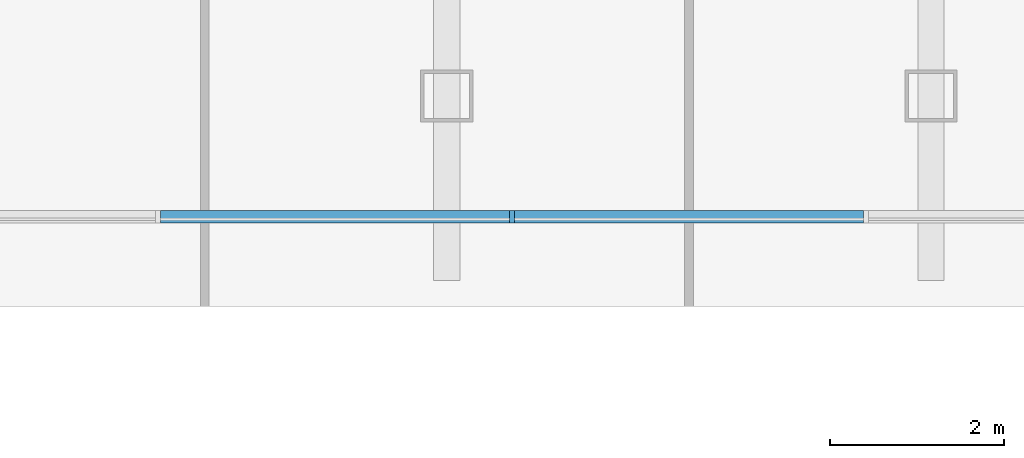
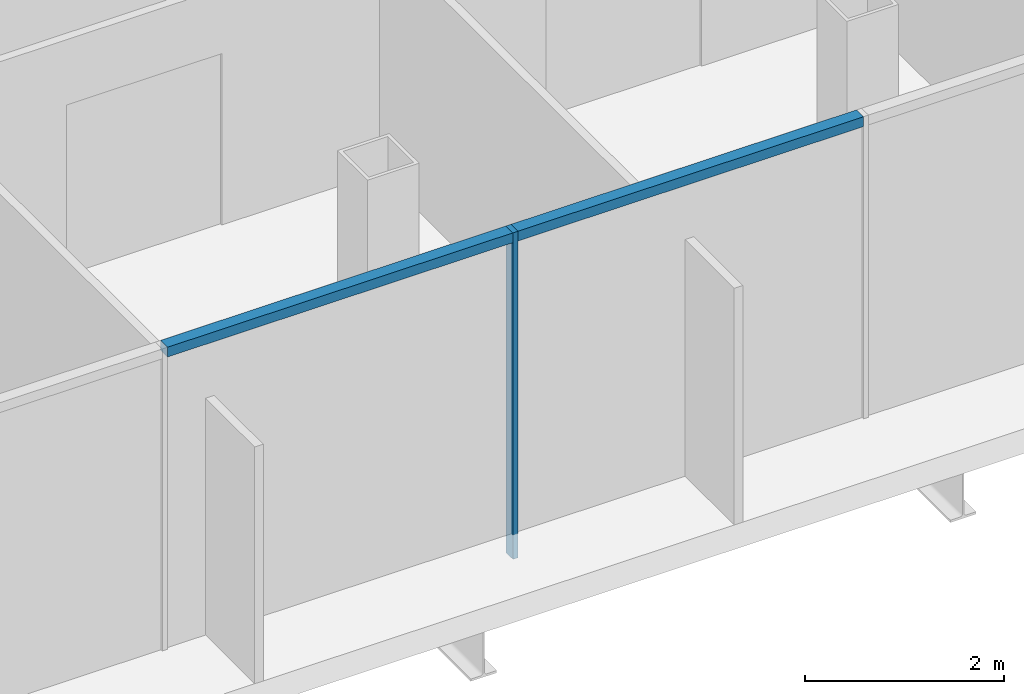
# One storey, part 6 of 25: 3 members, 1 element without a shape of its own.
"""IFC4 building model written with IfcOpenShell, lengths in metres."""

from ifc_helpers import new_model, si_unit, direction, frame, origin, origin_2d, place, context, subcontext, project, spatial, rectangle, extrude, material, material_profile, profile_set, type_object, element, aggregate, save


model = new_model("IFC4")

# Units and contexts
model_context = context("Model", 3, precision=1e-05, world=origin(), true_north=direction((0.0, 1.0)))
body_context = subcontext(model_context, "Body", "Model", "MODEL_VIEW")
ifc_project = project(units=[si_unit("LENGTHUNIT", "METRE"), si_unit("AREAUNIT", "SQUARE_METRE"), si_unit("VOLUMEUNIT", "CUBIC_METRE"), si_unit("PLANEANGLEUNIT", "RADIAN"), si_unit("MASSUNIT", "GRAM", prefix="KILO")], contexts=[model_context])

# Site, building, storey
site_placement = place(None, origin())
site = spatial("IfcSite", under=ifc_project, at=site_placement, CompositionType="ELEMENT")
building_placement = place(site_placement, origin())
building = spatial("IfcBuilding", under=site, at=building_placement, Name="Ogive Gate Towers", CompositionType="ELEMENT")
storey_placement = place(building_placement, frame((0.0, 0.0, 144.800048828125)))
storey = spatial("IfcBuildingStorey", under=building, at=storey_placement, Name="L34", CompositionType="ELEMENT", Elevation=144.800048828125)

# Curtain wall, members
ifc_material = material(Name="Pale metal aluminium", Category="aluminium")
curtain_wall_type = type_object("IfcCurtainWallType", Name="Gate block facade", PredefinedType="NOTDEFINED", material=ifc_material)
curtain_wall_placement = place(storey_placement, origin())
curtain_wall = element("IfcCurtainWall", 1, at=curtain_wall_placement, inside=storey, type_object=curtain_wall_type, Name="CW3 BR ECW01", PredefinedType="NOTDEFINED")
ifc_material_profile_1 = material_profile(ifc_material, rectangle(XDim=0.139892578125, YDim=0.06005859375, at=origin_2d()), Name="60 x 140 aluminium box")
ifc_profile_set_1 = profile_set([ifc_material_profile_1], Name="Pale metal aluminium")
member_type_1 = type_object("IfcMemberType", Name="Gate block facade mullion 60 x 140", PredefinedType="MULLION", material=ifc_profile_set_1)
member_1_placement = place(storey_placement, frame((2.031005859375, -7.886474609375, -0.300048828125), z_axis=(0.0, 0.0, 1.0), x_axis=(0.0, -1.0, 0.0)))
member_1 = element("IfcMember", 2, at=member_1_placement, type_object=member_type_1, Name="CW3 mullion", PredefinedType="MULLION", context=body_context, shape_type="SweptSolid", body=[
    extrude(rectangle(XDim=0.139892578125, YDim=0.06005859375, at=origin_2d()), origin(), (0.0, 0.0, 1.0), 4.0),
])
ifc_material_profile_2 = material_profile(ifc_material, rectangle(XDim=0.139892578125, YDim=0.1201171875, at=origin_2d()), Name="120 x 140 aluminium box")
ifc_profile_set_2 = profile_set([ifc_material_profile_2], Name="Pale metal aluminium")
member_type_2 = type_object("IfcMemberType", Name="Gate block facade transom 120 x 140", PredefinedType="USERDEFINED", material=ifc_profile_set_2)
member_2_placement = place(storey_placement, frame((-2.001220703125, -7.886474609375, 3.639892578125), z_axis=(1.0, 0.0, 0.0), x_axis=(0.0, 1.0, 0.0)))
member_2 = element("IfcMember", 3, at=member_2_placement, type_object=member_type_2, Name="CW3 transom", ObjectType="TRANSOM", PredefinedType="USERDEFINED", context=body_context, shape_type="SweptSolid", body=[
    extrude(rectangle(XDim=0.139892578125, YDim=0.1201171875, at=origin_2d()), origin(), (0.0, 0.0, 1.0), 4.00244140625),
])
member_3_placement = place(storey_placement, frame((2.06103515625, -7.886474609375, 3.639892578125), z_axis=(1.0, 0.0, 0.0), x_axis=(0.0, 1.0, 0.0)))
member_3 = element("IfcMember", 4, at=member_3_placement, type_object=member_type_2, Name="CW3 transom", ObjectType="TRANSOM", PredefinedType="USERDEFINED", context=body_context, shape_type="SweptSolid", body=[
    extrude(rectangle(XDim=0.139892578125, YDim=0.1201171875, at=origin_2d()), origin(), (0.0, 0.0, 1.0), 4.002197265625),
])
aggregate(curtain_wall, [member_1, member_2, member_3])

save(model, "model.ifc")
